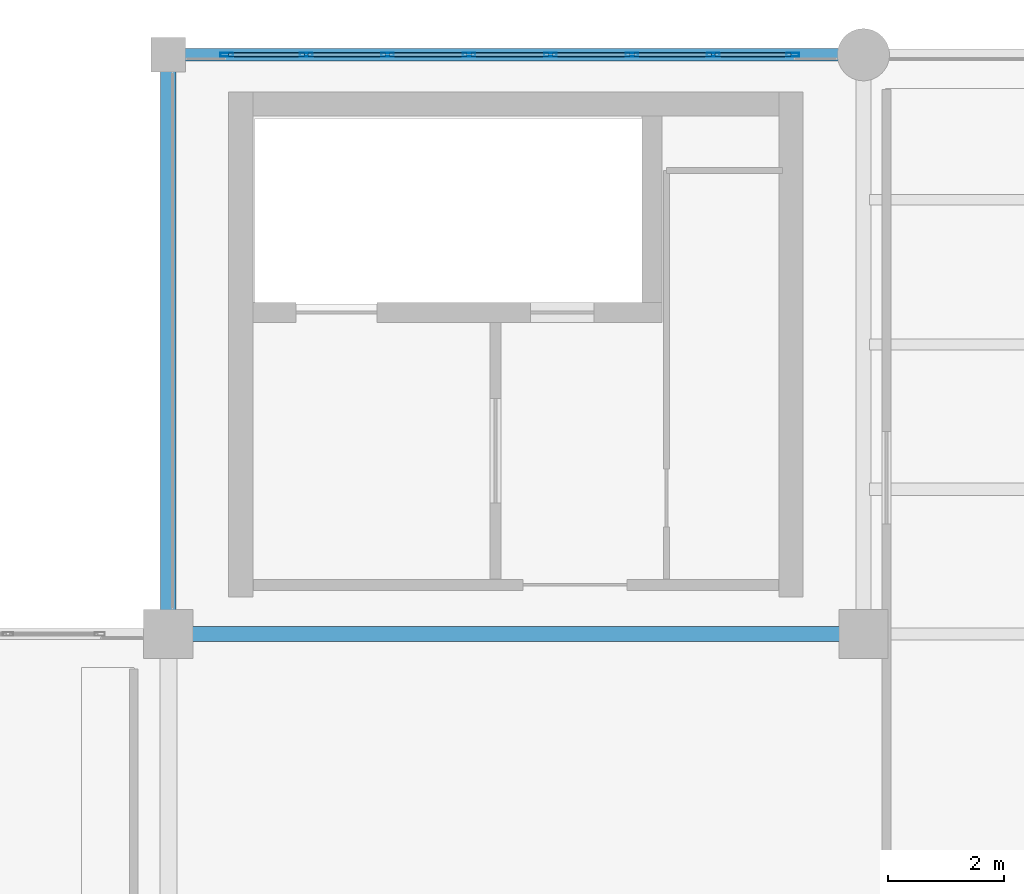
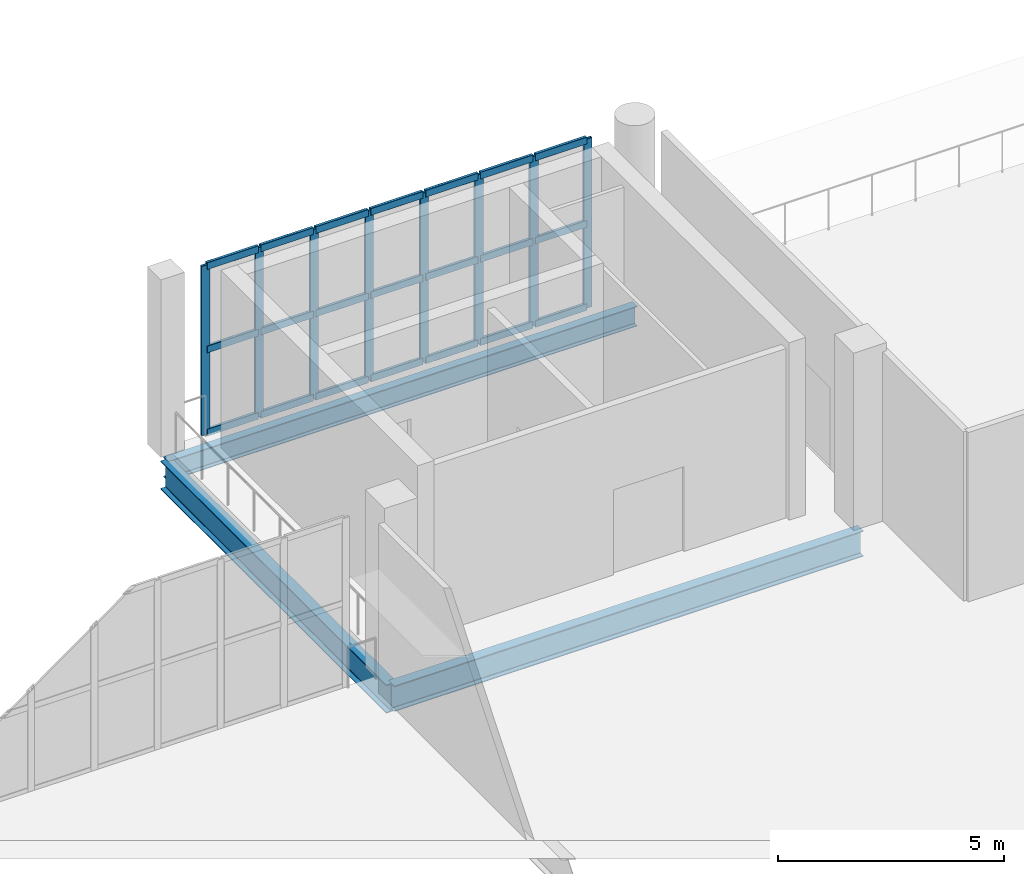
# One storey, part 28 of 49: 29 members, 3 beams, 1 element without a shape of its own.
"""IFC4 building model written with IfcOpenShell, lengths in metres."""

from ifc_helpers import new_model, si_unit, direction, frame, origin, origin_2d, place, context, subcontext, project, spatial, hollow_rectangle, i_section, extrude, material, layer, layer_set, material_profile, profile_set, type_object, element, aggregate, save


model = new_model("IFC4")

# Units and contexts
model_context = context("Model", 3, precision=1e-05, world=origin(), true_north=direction((0.0, 1.0)))
body_context = subcontext(model_context, "Body", "Model", "MODEL_VIEW")
ifc_project = project(units=[si_unit("LENGTHUNIT", "METRE"), si_unit("AREAUNIT", "SQUARE_METRE"), si_unit("VOLUMEUNIT", "CUBIC_METRE"), si_unit("PLANEANGLEUNIT", "RADIAN"), si_unit("MASSUNIT", "GRAM", prefix="KILO")], contexts=[model_context])

# Site, building, storey
site_placement = place(None, origin())
site = spatial("IfcSite", under=ifc_project, at=site_placement, CompositionType="ELEMENT")
building_placement = place(site_placement, origin())
building = spatial("IfcBuilding", under=site, at=building_placement, Name="Brinegate Civic Arena", CompositionType="ELEMENT")
storey_placement = place(building_placement, frame((0.0, 0.0, 24.60009765625)))
storey = spatial("IfcBuildingStorey", under=building, at=storey_placement, Name="L05", CompositionType="ELEMENT", Elevation=24.60009765625)

# Curtain wall, members
ifc_material_1 = material(Name="Marine grade aluminium", Category="aluminium")
ifc_layer = layer(ifc_material_1, 0.199951171875, Name="Marine grade aluminium")
ifc_layer_set = layer_set([ifc_layer], Name="Marine grade aluminium")
curtain_wall_type = type_object("IfcCurtainWallType", Name="CW-BOWL-GLAZED-01", PredefinedType="USERDEFINED", material=ifc_layer_set)
curtain_wall_placement = place(storey_placement, origin())
curtain_wall = element("IfcCurtainWall", 1, at=curtain_wall_placement, inside=storey, type_object=curtain_wall_type, Name="Curtain Wall CWA-171", ObjectType="GLAZED CURTAIN WALL", PredefinedType="USERDEFINED")
ifc_material_profile_1 = material_profile(ifc_material_1, hollow_rectangle(XDim=0.06494140625, YDim=0.219970703125, WallThickness=0.006103515625, InnerFilletRadius=0.00390625, OuterFilletRadius=0.008056640625, at=origin_2d()), Name="MUL65X220")
ifc_profile_set_1 = profile_set([ifc_material_profile_1], Name="Marine grade aluminium")
member_type_1 = type_object("IfcMemberType", Name="CW-MULLION-65X220", PredefinedType="MULLION", material=ifc_profile_set_1)
member_1_placement = place(storey_placement, frame((85.006591796875, 124.0, 0.0), z_axis=(0.0, 0.0, 1.0), x_axis=(0.0, 1.0, 0.0)))
member_1 = element("IfcMember", 2, at=member_1_placement, type_object=member_type_1, Name="CWA-171 mullion 1", PredefinedType="MULLION", context=body_context, shape_type="SweptSolid", body=[
    extrude(hollow_rectangle(XDim=0.06494140625, YDim=0.219970703125, WallThickness=0.006103515625, InnerFilletRadius=0.00390625, OuterFilletRadius=0.008056640625, at=origin_2d()), origin(), (0.0, 0.0, 1.0), 4.579833984375),
])
member_2_placement = place(storey_placement, frame((86.379638671875, 124.0, 0.0), z_axis=(0.0, 0.0, 1.0), x_axis=(0.0, 1.0, 0.0)))
member_2 = element("IfcMember", 3, at=member_2_placement, type_object=member_type_1, Name="CWA-171 mullion 2", PredefinedType="MULLION", context=body_context, shape_type="SweptSolid", body=[
    extrude(hollow_rectangle(XDim=0.06494140625, YDim=0.219970703125, WallThickness=0.006103515625, InnerFilletRadius=0.00390625, OuterFilletRadius=0.008056640625, at=origin_2d()), origin(), (0.0, 0.0, 1.0), 4.579833984375),
])
member_3_placement = place(storey_placement, frame((87.785400390625, 124.0, 0.0), z_axis=(0.0, 0.0, 1.0), x_axis=(0.0, 1.0, 0.0)))
member_3 = element("IfcMember", 4, at=member_3_placement, type_object=member_type_1, Name="CWA-171 mullion 3", PredefinedType="MULLION", context=body_context, shape_type="SweptSolid", body=[
    extrude(hollow_rectangle(XDim=0.06494140625, YDim=0.219970703125, WallThickness=0.006103515625, InnerFilletRadius=0.00390625, OuterFilletRadius=0.008056640625, at=origin_2d()), origin(), (0.0, 0.0, 1.0), 4.579833984375),
])
member_4_placement = place(storey_placement, frame((89.191162109375, 124.0, 0.0), z_axis=(0.0, 0.0, 1.0), x_axis=(0.0, 1.0, 0.0)))
member_4 = element("IfcMember", 5, at=member_4_placement, type_object=member_type_1, Name="CWA-171 mullion 4", PredefinedType="MULLION", context=body_context, shape_type="SweptSolid", body=[
    extrude(hollow_rectangle(XDim=0.06494140625, YDim=0.219970703125, WallThickness=0.006103515625, InnerFilletRadius=0.00390625, OuterFilletRadius=0.008056640625, at=origin_2d()), origin(), (0.0, 0.0, 1.0), 4.579833984375),
])
member_5_placement = place(storey_placement, frame((90.596923828125, 124.0, 0.0), z_axis=(0.0, 0.0, 1.0), x_axis=(0.0, 1.0, 0.0)))
member_5 = element("IfcMember", 6, at=member_5_placement, type_object=member_type_1, Name="CWA-171 mullion 5", PredefinedType="MULLION", context=body_context, shape_type="SweptSolid", body=[
    extrude(hollow_rectangle(XDim=0.06494140625, YDim=0.219970703125, WallThickness=0.006103515625, InnerFilletRadius=0.00390625, OuterFilletRadius=0.008056640625, at=origin_2d()), origin(), (0.0, 0.0, 1.0), 4.579833984375),
])
member_6_placement = place(storey_placement, frame((92.002685546875, 124.0, 0.0), z_axis=(0.0, 0.0, 1.0), x_axis=(0.0, 1.0, 0.0)))
member_6 = element("IfcMember", 7, at=member_6_placement, type_object=member_type_1, Name="CWA-171 mullion 6", PredefinedType="MULLION", context=body_context, shape_type="SweptSolid", body=[
    extrude(hollow_rectangle(XDim=0.06494140625, YDim=0.219970703125, WallThickness=0.006103515625, InnerFilletRadius=0.00390625, OuterFilletRadius=0.008056640625, at=origin_2d()), origin(), (0.0, 0.0, 1.0), 4.579833984375),
])
member_7_placement = place(storey_placement, frame((93.408203125, 124.0, 0.0), z_axis=(0.0, 0.0, 1.0), x_axis=(0.0, 1.0, 0.0)))
member_7 = element("IfcMember", 8, at=member_7_placement, type_object=member_type_1, Name="CWA-171 mullion 7", PredefinedType="MULLION", context=body_context, shape_type="SweptSolid", body=[
    extrude(hollow_rectangle(XDim=0.06494140625, YDim=0.219970703125, WallThickness=0.006103515625, InnerFilletRadius=0.00390625, OuterFilletRadius=0.008056640625, at=origin_2d()), origin(), (0.0, 0.0, 1.0), 4.579833984375),
])
member_8_placement = place(storey_placement, frame((94.781494140625, 124.0, 0.0), z_axis=(0.0, 0.0, 1.0), x_axis=(0.0, 1.0, 0.0)))
member_8 = element("IfcMember", 9, at=member_8_placement, type_object=member_type_1, Name="CWA-171 mullion 8", PredefinedType="MULLION", context=body_context, shape_type="SweptSolid", body=[
    extrude(hollow_rectangle(XDim=0.06494140625, YDim=0.219970703125, WallThickness=0.006103515625, InnerFilletRadius=0.00390625, OuterFilletRadius=0.008056640625, at=origin_2d()), origin(), (0.0, 0.0, 1.0), 4.579833984375),
])
ifc_material_profile_2 = material_profile(ifc_material_1, hollow_rectangle(XDim=0.074951171875, YDim=0.18994140625, WallThickness=0.006103515625, InnerFilletRadius=0.00390625, OuterFilletRadius=0.008056640625, at=origin_2d()), Name="TRN75X190")
ifc_profile_set_2 = profile_set([ifc_material_profile_2], Name="Marine grade aluminium")
member_type_2 = type_object("IfcMemberType", Name="CW-TRANSOM-75X190", PredefinedType="USERDEFINED", material=ifc_profile_set_2)
member_9_placement = place(storey_placement, frame((85.0390625, 124.0, 0.037353515625), z_axis=(1.0, 0.0, 0.0), x_axis=(0.0, 1.0, 0.0)))
member_9 = element("IfcMember", 10, at=member_9_placement, type_object=member_type_2, Name="CWA-171 transom 1.1", ObjectType="TRANSOM", PredefinedType="USERDEFINED", context=body_context, shape_type="SweptSolid", body=[
    extrude(hollow_rectangle(XDim=0.074951171875, YDim=0.18994140625, WallThickness=0.006103515625, InnerFilletRadius=0.00390625, OuterFilletRadius=0.008056640625, at=origin_2d()), origin(), (0.0, 0.0, 1.0), 1.30810546875),
])
member_10_placement = place(storey_placement, frame((85.0390625, 124.0, 2.289794921875), z_axis=(1.0, 0.0, 0.0), x_axis=(0.0, 1.0, 0.0)))
member_10 = element("IfcMember", 11, at=member_10_placement, type_object=member_type_2, Name="CWA-171 transom 1.2", ObjectType="TRANSOM", PredefinedType="USERDEFINED", context=body_context, shape_type="SweptSolid", body=[
    extrude(hollow_rectangle(XDim=0.074951171875, YDim=0.18994140625, WallThickness=0.006103515625, InnerFilletRadius=0.00390625, OuterFilletRadius=0.008056640625, at=origin_2d()), origin(), (0.0, 0.0, 1.0), 1.30810546875),
])
member_11_placement = place(storey_placement, frame((85.0390625, 124.0, 4.54248046875), z_axis=(1.0, 0.0, 0.0), x_axis=(0.0, 1.0, 0.0)))
member_11 = element("IfcMember", 12, at=member_11_placement, type_object=member_type_2, Name="CWA-171 transom 1.3", ObjectType="TRANSOM", PredefinedType="USERDEFINED", context=body_context, shape_type="SweptSolid", body=[
    extrude(hollow_rectangle(XDim=0.074951171875, YDim=0.18994140625, WallThickness=0.006103515625, InnerFilletRadius=0.00390625, OuterFilletRadius=0.008056640625, at=origin_2d()), origin(), (0.0, 0.0, 1.0), 1.30810546875),
])
member_12_placement = place(storey_placement, frame((86.412109375, 124.0, 0.037353515625), z_axis=(1.0, 0.0, 0.0), x_axis=(0.0, 1.0, 0.0)))
member_12 = element("IfcMember", 13, at=member_12_placement, type_object=member_type_2, Name="CWA-171 transom 2.1", ObjectType="TRANSOM", PredefinedType="USERDEFINED", context=body_context, shape_type="SweptSolid", body=[
    extrude(hollow_rectangle(XDim=0.074951171875, YDim=0.18994140625, WallThickness=0.006103515625, InnerFilletRadius=0.00390625, OuterFilletRadius=0.008056640625, at=origin_2d()), origin(), (0.0, 0.0, 1.0), 1.3408203125),
])
member_13_placement = place(storey_placement, frame((86.412109375, 124.0, 2.289794921875), z_axis=(1.0, 0.0, 0.0), x_axis=(0.0, 1.0, 0.0)))
member_13 = element("IfcMember", 14, at=member_13_placement, type_object=member_type_2, Name="CWA-171 transom 2.2", ObjectType="TRANSOM", PredefinedType="USERDEFINED", context=body_context, shape_type="SweptSolid", body=[
    extrude(hollow_rectangle(XDim=0.074951171875, YDim=0.18994140625, WallThickness=0.006103515625, InnerFilletRadius=0.00390625, OuterFilletRadius=0.008056640625, at=origin_2d()), origin(), (0.0, 0.0, 1.0), 1.3408203125),
])
member_14_placement = place(storey_placement, frame((86.412109375, 124.0, 4.54248046875), z_axis=(1.0, 0.0, 0.0), x_axis=(0.0, 1.0, 0.0)))
member_14 = element("IfcMember", 15, at=member_14_placement, type_object=member_type_2, Name="CWA-171 transom 2.3", ObjectType="TRANSOM", PredefinedType="USERDEFINED", context=body_context, shape_type="SweptSolid", body=[
    extrude(hollow_rectangle(XDim=0.074951171875, YDim=0.18994140625, WallThickness=0.006103515625, InnerFilletRadius=0.00390625, OuterFilletRadius=0.008056640625, at=origin_2d()), origin(), (0.0, 0.0, 1.0), 1.3408203125),
])
member_15_placement = place(storey_placement, frame((87.81787109375, 124.0, 0.037353515625), z_axis=(1.0, 0.0, 0.0), x_axis=(0.0, 1.0, 0.0)))
member_15 = element("IfcMember", 16, at=member_15_placement, type_object=member_type_2, Name="CWA-171 transom 3.1", ObjectType="TRANSOM", PredefinedType="USERDEFINED", context=body_context, shape_type="SweptSolid", body=[
    extrude(hollow_rectangle(XDim=0.074951171875, YDim=0.18994140625, WallThickness=0.006103515625, InnerFilletRadius=0.00390625, OuterFilletRadius=0.008056640625, at=origin_2d()), origin(), (0.0, 0.0, 1.0), 1.3408203125),
])
member_16_placement = place(storey_placement, frame((87.81787109375, 124.0, 2.289794921875), z_axis=(1.0, 0.0, 0.0), x_axis=(0.0, 1.0, 0.0)))
member_16 = element("IfcMember", 17, at=member_16_placement, type_object=member_type_2, Name="CWA-171 transom 3.2", ObjectType="TRANSOM", PredefinedType="USERDEFINED", context=body_context, shape_type="SweptSolid", body=[
    extrude(hollow_rectangle(XDim=0.074951171875, YDim=0.18994140625, WallThickness=0.006103515625, InnerFilletRadius=0.00390625, OuterFilletRadius=0.008056640625, at=origin_2d()), origin(), (0.0, 0.0, 1.0), 1.3408203125),
])
member_17_placement = place(storey_placement, frame((87.81787109375, 124.0, 4.54248046875), z_axis=(1.0, 0.0, 0.0), x_axis=(0.0, 1.0, 0.0)))
member_17 = element("IfcMember", 18, at=member_17_placement, type_object=member_type_2, Name="CWA-171 transom 3.3", ObjectType="TRANSOM", PredefinedType="USERDEFINED", context=body_context, shape_type="SweptSolid", body=[
    extrude(hollow_rectangle(XDim=0.074951171875, YDim=0.18994140625, WallThickness=0.006103515625, InnerFilletRadius=0.00390625, OuterFilletRadius=0.008056640625, at=origin_2d()), origin(), (0.0, 0.0, 1.0), 1.3408203125),
])
member_18_placement = place(storey_placement, frame((89.2236328125, 124.0, 0.037353515625), z_axis=(1.0, 0.0, 0.0), x_axis=(0.0, 1.0, 0.0)))
member_18 = element("IfcMember", 19, at=member_18_placement, type_object=member_type_2, Name="CWA-171 transom 4.1", ObjectType="TRANSOM", PredefinedType="USERDEFINED", context=body_context, shape_type="SweptSolid", body=[
    extrude(hollow_rectangle(XDim=0.074951171875, YDim=0.18994140625, WallThickness=0.006103515625, InnerFilletRadius=0.00390625, OuterFilletRadius=0.008056640625, at=origin_2d()), origin(), (0.0, 0.0, 1.0), 1.3408203125),
])
member_19_placement = place(storey_placement, frame((89.2236328125, 124.0, 2.289794921875), z_axis=(1.0, 0.0, 0.0), x_axis=(0.0, 1.0, 0.0)))
member_19 = element("IfcMember", 20, at=member_19_placement, type_object=member_type_2, Name="CWA-171 transom 4.2", ObjectType="TRANSOM", PredefinedType="USERDEFINED", context=body_context, shape_type="SweptSolid", body=[
    extrude(hollow_rectangle(XDim=0.074951171875, YDim=0.18994140625, WallThickness=0.006103515625, InnerFilletRadius=0.00390625, OuterFilletRadius=0.008056640625, at=origin_2d()), origin(), (0.0, 0.0, 1.0), 1.3408203125),
])
member_20_placement = place(storey_placement, frame((89.2236328125, 124.0, 4.54248046875), z_axis=(1.0, 0.0, 0.0), x_axis=(0.0, 1.0, 0.0)))
member_20 = element("IfcMember", 21, at=member_20_placement, type_object=member_type_2, Name="CWA-171 transom 4.3", ObjectType="TRANSOM", PredefinedType="USERDEFINED", context=body_context, shape_type="SweptSolid", body=[
    extrude(hollow_rectangle(XDim=0.074951171875, YDim=0.18994140625, WallThickness=0.006103515625, InnerFilletRadius=0.00390625, OuterFilletRadius=0.008056640625, at=origin_2d()), origin(), (0.0, 0.0, 1.0), 1.3408203125),
])
member_21_placement = place(storey_placement, frame((90.62939453125, 124.0, 0.037353515625), z_axis=(1.0, 0.0, 0.0), x_axis=(0.0, 1.0, 0.0)))
member_21 = element("IfcMember", 22, at=member_21_placement, type_object=member_type_2, Name="CWA-171 transom 5.1", ObjectType="TRANSOM", PredefinedType="USERDEFINED", context=body_context, shape_type="SweptSolid", body=[
    extrude(hollow_rectangle(XDim=0.074951171875, YDim=0.18994140625, WallThickness=0.006103515625, InnerFilletRadius=0.00390625, OuterFilletRadius=0.008056640625, at=origin_2d()), origin(), (0.0, 0.0, 1.0), 1.340576171875),
])
member_22_placement = place(storey_placement, frame((90.62939453125, 124.0, 2.289794921875), z_axis=(1.0, 0.0, 0.0), x_axis=(0.0, 1.0, 0.0)))
member_22 = element("IfcMember", 23, at=member_22_placement, type_object=member_type_2, Name="CWA-171 transom 5.2", ObjectType="TRANSOM", PredefinedType="USERDEFINED", context=body_context, shape_type="SweptSolid", body=[
    extrude(hollow_rectangle(XDim=0.074951171875, YDim=0.18994140625, WallThickness=0.006103515625, InnerFilletRadius=0.00390625, OuterFilletRadius=0.008056640625, at=origin_2d()), origin(), (0.0, 0.0, 1.0), 1.340576171875),
])
member_23_placement = place(storey_placement, frame((90.62939453125, 124.0, 4.54248046875), z_axis=(1.0, 0.0, 0.0), x_axis=(0.0, 1.0, 0.0)))
member_23 = element("IfcMember", 24, at=member_23_placement, type_object=member_type_2, Name="CWA-171 transom 5.3", ObjectType="TRANSOM", PredefinedType="USERDEFINED", context=body_context, shape_type="SweptSolid", body=[
    extrude(hollow_rectangle(XDim=0.074951171875, YDim=0.18994140625, WallThickness=0.006103515625, InnerFilletRadius=0.00390625, OuterFilletRadius=0.008056640625, at=origin_2d()), origin(), (0.0, 0.0, 1.0), 1.340576171875),
])
member_24_placement = place(storey_placement, frame((92.03515625, 124.0, 0.037353515625), z_axis=(1.0, 0.0, 0.0), x_axis=(0.0, 1.0, 0.0)))
member_24 = element("IfcMember", 25, at=member_24_placement, type_object=member_type_2, Name="CWA-171 transom 6.1", ObjectType="TRANSOM", PredefinedType="USERDEFINED", context=body_context, shape_type="SweptSolid", body=[
    extrude(hollow_rectangle(XDim=0.074951171875, YDim=0.18994140625, WallThickness=0.006103515625, InnerFilletRadius=0.00390625, OuterFilletRadius=0.008056640625, at=origin_2d()), origin(), (0.0, 0.0, 1.0), 1.340576171875),
])
member_25_placement = place(storey_placement, frame((92.03515625, 124.0, 2.289794921875), z_axis=(1.0, 0.0, 0.0), x_axis=(0.0, 1.0, 0.0)))
member_25 = element("IfcMember", 26, at=member_25_placement, type_object=member_type_2, Name="CWA-171 transom 6.2", ObjectType="TRANSOM", PredefinedType="USERDEFINED", context=body_context, shape_type="SweptSolid", body=[
    extrude(hollow_rectangle(XDim=0.074951171875, YDim=0.18994140625, WallThickness=0.006103515625, InnerFilletRadius=0.00390625, OuterFilletRadius=0.008056640625, at=origin_2d()), origin(), (0.0, 0.0, 1.0), 1.340576171875),
])
member_26_placement = place(storey_placement, frame((92.03515625, 124.0, 4.54248046875), z_axis=(1.0, 0.0, 0.0), x_axis=(0.0, 1.0, 0.0)))
member_26 = element("IfcMember", 27, at=member_26_placement, type_object=member_type_2, Name="CWA-171 transom 6.3", ObjectType="TRANSOM", PredefinedType="USERDEFINED", context=body_context, shape_type="SweptSolid", body=[
    extrude(hollow_rectangle(XDim=0.074951171875, YDim=0.18994140625, WallThickness=0.006103515625, InnerFilletRadius=0.00390625, OuterFilletRadius=0.008056640625, at=origin_2d()), origin(), (0.0, 0.0, 1.0), 1.340576171875),
])
member_27_placement = place(storey_placement, frame((93.440673828125, 124.0, 0.037353515625), z_axis=(1.0, 0.0, 0.0), x_axis=(0.0, 1.0, 0.0)))
member_27 = element("IfcMember", 28, at=member_27_placement, type_object=member_type_2, Name="CWA-171 transom 7.1", ObjectType="TRANSOM", PredefinedType="USERDEFINED", context=body_context, shape_type="SweptSolid", body=[
    extrude(hollow_rectangle(XDim=0.074951171875, YDim=0.18994140625, WallThickness=0.006103515625, InnerFilletRadius=0.00390625, OuterFilletRadius=0.008056640625, at=origin_2d()), origin(), (0.0, 0.0, 1.0), 1.308349609375),
])
member_28_placement = place(storey_placement, frame((93.440673828125, 124.0, 2.289794921875), z_axis=(1.0, 0.0, 0.0), x_axis=(0.0, 1.0, 0.0)))
member_28 = element("IfcMember", 29, at=member_28_placement, type_object=member_type_2, Name="CWA-171 transom 7.2", ObjectType="TRANSOM", PredefinedType="USERDEFINED", context=body_context, shape_type="SweptSolid", body=[
    extrude(hollow_rectangle(XDim=0.074951171875, YDim=0.18994140625, WallThickness=0.006103515625, InnerFilletRadius=0.00390625, OuterFilletRadius=0.008056640625, at=origin_2d()), origin(), (0.0, 0.0, 1.0), 1.308349609375),
])
member_29_placement = place(storey_placement, frame((93.440673828125, 124.0, 4.54248046875), z_axis=(1.0, 0.0, 0.0), x_axis=(0.0, 1.0, 0.0)))
member_29 = element("IfcMember", 30, at=member_29_placement, type_object=member_type_2, Name="CWA-171 transom 7.3", ObjectType="TRANSOM", PredefinedType="USERDEFINED", context=body_context, shape_type="SweptSolid", body=[
    extrude(hollow_rectangle(XDim=0.074951171875, YDim=0.18994140625, WallThickness=0.006103515625, InnerFilletRadius=0.00390625, OuterFilletRadius=0.008056640625, at=origin_2d()), origin(), (0.0, 0.0, 1.0), 1.308349609375),
])
aggregate(curtain_wall, [member_1, member_2, member_3, member_4, member_5, member_6, member_7, member_8, member_9, member_10, member_11, member_12, member_13, member_14, member_15, member_16, member_17, member_18, member_19, member_20, member_21, member_22, member_23, member_24, member_25, member_26, member_27, member_28, member_29])

# Beams
ifc_material_2 = material(Name="Steel S355", Category="steel")
ifc_material_profile_3 = material_profile(ifc_material_2, i_section(OverallWidth=0.26806640625, OverallDepth=0.77001953125, WebThickness=0.01611328125, FlangeThickness=0.02490234375, FilletRadius=0.02001953125, at=origin_2d()), Name="W760X196")
ifc_profile_set_3 = profile_set([ifc_material_profile_3], Name="Steel S355")
beam_type_1 = type_object("IfcBeamType", Name="GIRDER-W760X196", PredefinedType="BEAM", material=ifc_profile_set_3)
beam_1_placement = place(storey_placement, frame((84.0, 114.0, -0.715087890625), z_axis=(0.0, 1.0, 0.0), x_axis=(-1.0, 0.0, 0.0)))
element("IfcBeam", 31, at=beam_1_placement, inside=storey, type_object=beam_type_1, Name="Floor Girder BM-L05-GY-07-11", PredefinedType="BEAM", context=body_context, shape_type="SweptSolid", body=[
    extrude(i_section(OverallWidth=0.26806640625, OverallDepth=0.77001953125, WebThickness=0.01611328125, FlangeThickness=0.02490234375, FilletRadius=0.02001953125, at=origin_2d()), origin(), (0.0, 0.0, 1.0), 10.0),
])
ifc_material_profile_4 = material_profile(ifc_material_2, i_section(OverallWidth=0.2119140625, OverallDepth=0.5439453125, WebThickness=0.012939453125, FlangeThickness=0.02099609375, FilletRadius=0.01611328125, at=origin_2d()), Name="W530X123")
ifc_profile_set_4 = profile_set([ifc_material_profile_4], Name="Steel S355")
beam_type_2 = type_object("IfcBeamType", Name="SPANDREL-W530X123", PredefinedType="SPANDREL", material=ifc_profile_set_4)
beam_2_placement = place(storey_placement, frame((84.0, 124.0, -0.60205078125), z_axis=(1.0, 0.0, 0.0), x_axis=(0.0, 1.0, 0.0)))
element("IfcBeam", 32, at=beam_2_placement, inside=storey, type_object=beam_type_2, Name="Floor Girder BM-L05-GX-07-12", PredefinedType="SPANDREL", context=body_context, shape_type="SweptSolid", body=[
    extrude(i_section(OverallWidth=0.2119140625, OverallDepth=0.5439453125, WebThickness=0.012939453125, FlangeThickness=0.02099609375, FilletRadius=0.01611328125, at=origin_2d()), origin(), (0.0, 0.0, 1.0), 12.0),
])
ifc_material_profile_5 = material_profile(ifc_material_2, i_section(OverallWidth=0.256103515625, OverallDepth=0.693115234375, WebThickness=0.014892578125, FlangeThickness=0.02392578125, FilletRadius=0.01806640625, at=origin_2d()), Name="W690X170")
ifc_profile_set_5 = profile_set([ifc_material_profile_5], Name="Steel S355")
beam_type_3 = type_object("IfcBeamType", Name="SPANDREL-W690X170", PredefinedType="SPANDREL", material=ifc_profile_set_5)
beam_3_placement = place(storey_placement, frame((84.0, 114.0, -0.676025390625), z_axis=(1.0, 0.0, 0.0), x_axis=(0.0, 1.0, 0.0)))
element("IfcBeam", 33, at=beam_3_placement, inside=storey, type_object=beam_type_3, Name="Floor Girder BM-L05-GX-07-11", PredefinedType="SPANDREL", context=body_context, shape_type="SweptSolid", body=[
    extrude(i_section(OverallWidth=0.256103515625, OverallDepth=0.693115234375, WebThickness=0.014892578125, FlangeThickness=0.02392578125, FilletRadius=0.01806640625, at=origin_2d()), origin(), (0.0, 0.0, 1.0), 12.0),
])

save(model, "model.ifc")
